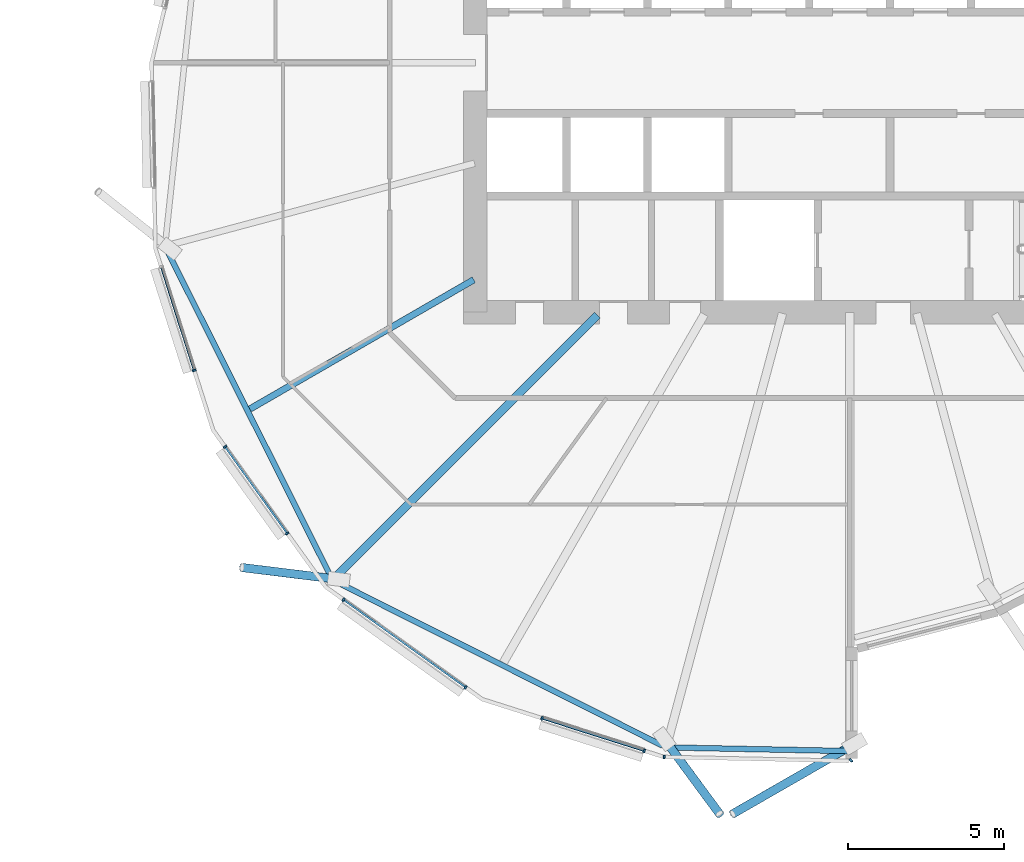
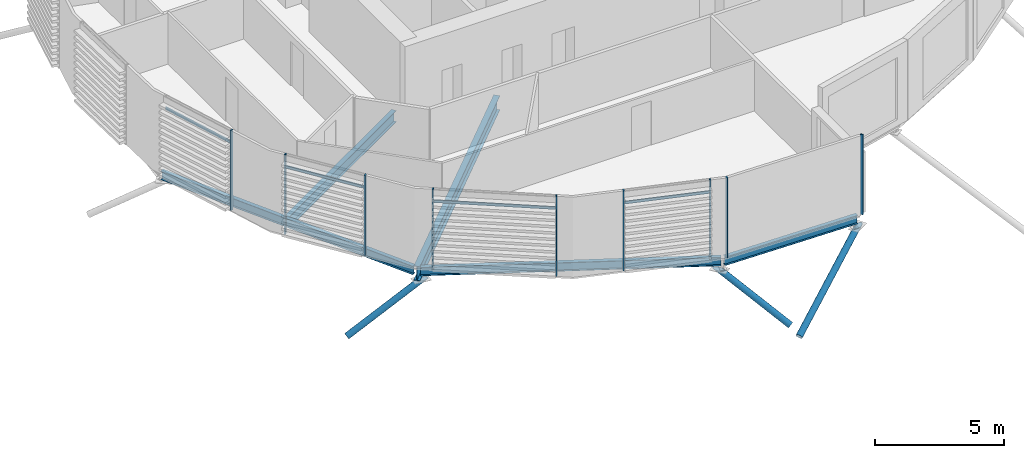
# One storey, part 12 of 42: 16 members, 5 beams, 1 element without a shape of its own.
"""IFC4 building model written with IfcOpenShell, lengths in metres."""

from ifc_helpers import new_model, si_unit, direction, frame, origin, origin_2d, place, context, subcontext, project, spatial, rectangle, hollow_circle, i_section, extrude, clip, halfspace, material, material_profile, profile_set, type_object, element, aggregate, save


model = new_model("IFC4")

# Units and contexts
model_context = context("Model", 3, precision=1e-05, world=origin(), true_north=direction((0.0, 1.0)))
body_context = subcontext(model_context, "Body", "Model", "MODEL_VIEW")
ifc_project = project(units=[si_unit("LENGTHUNIT", "METRE"), si_unit("AREAUNIT", "SQUARE_METRE"), si_unit("VOLUMEUNIT", "CUBIC_METRE"), si_unit("PLANEANGLEUNIT", "RADIAN"), si_unit("MASSUNIT", "GRAM", prefix="KILO")], contexts=[model_context])

# Site, building, storey
site_placement = place(None, origin())
site = spatial("IfcSite", under=ifc_project, at=site_placement, CompositionType="ELEMENT")
building_placement = place(site_placement, origin())
building = spatial("IfcBuilding", under=site, at=building_placement, Name="Rimbun Link Towers", CompositionType="ELEMENT")
storey_placement = place(building_placement, frame((0.0, 0.0, 85.39990234375)))
storey = spatial("IfcBuildingStorey", under=building, at=storey_placement, Name="L20", CompositionType="ELEMENT", Elevation=85.39990234375)

# Curtain wall, members
ifc_material_1 = material(Name="Aluminium 6063-T6 and low-iron glass", Category="aluminium")
curtain_wall_type = type_object("IfcCurtainWallType", Name="CW1-Z2 unitised vision wall (zone 2)", PredefinedType="NOTDEFINED", material=ifc_material_1)
curtain_wall_placement = place(storey_placement, origin())
curtain_wall = element("IfcCurtainWall", 1, at=curtain_wall_placement, inside=storey, type_object=curtain_wall_type, Name="CW1 L20 T2", PredefinedType="NOTDEFINED")
ifc_material_2 = material(Name="Aluminium 6063-T6", Category="aluminium")
ifc_material_profile_1 = material_profile(ifc_material_2, rectangle(XDim=0.1201171875, YDim=0.06005859375, at=origin_2d()), Name="MULLION 60X120")
ifc_profile_set_1 = profile_set([ifc_material_profile_1], Name="Aluminium 6063-T6")
member_type_1 = type_object("IfcMemberType", Name="CW1 mullion 60X120", PredefinedType="MULLION", material=ifc_profile_set_1)
member_1_placement = place(storey_placement, frame((10.7294921875, -9.865478515625, 0.0), z_axis=(0.0, 0.0, 1.0), x_axis=(-0.952968251743, -0.303070142328, 0.0)))
member_1 = element("IfcMember", 2, at=member_1_placement, type_object=member_type_1, Name="CW1 mullion", PredefinedType="MULLION", context=body_context, shape_type="SweptSolid", body=[
    extrude(rectangle(XDim=0.1201171875, YDim=0.06005859375, at=origin_2d()), origin(), (0.0, 0.0, 1.0), 3.800048828125),
])
member_2_placement = place(storey_placement, frame((13.71435546875, -15.09130859375, 0.0), z_axis=(0.0, 0.0, 1.0), x_axis=(-0.812469108412, -0.583004243446, 0.0)))
member_2 = element("IfcMember", 3, at=member_2_placement, type_object=member_type_1, Name="CW1 mullion", PredefinedType="MULLION", context=body_context, shape_type="SweptSolid", body=[
    extrude(rectangle(XDim=0.1201171875, YDim=0.06005859375, at=origin_2d()), origin(), (0.0, 0.0, 1.0), 3.800048828125),
])
member_3_placement = place(storey_placement, frame((11.722900390625, -12.31640625, 0.0), z_axis=(0.0, 0.0, 1.0), x_axis=(-0.812469108412, -0.583004243446, 0.0)))
member_3 = element("IfcMember", 4, at=member_3_placement, type_object=member_type_1, Name="CW1 mullion", PredefinedType="MULLION", context=body_context, shape_type="SweptSolid", body=[
    extrude(rectangle(XDim=0.1201171875, YDim=0.06005859375, at=origin_2d()), origin(), (0.0, 0.0, 1.0), 3.800048828125),
])
member_4_placement = place(storey_placement, frame((19.43359375, -20.027099609375, 0.0), z_axis=(0.0, 0.0, 1.0), x_axis=(-0.583004243446, -0.812469108412, 0.0)))
member_4 = element("IfcMember", 5, at=member_4_placement, type_object=member_type_1, Name="CW1 mullion", PredefinedType="MULLION", context=body_context, shape_type="SweptSolid", body=[
    extrude(rectangle(XDim=0.1201171875, YDim=0.06005859375, at=origin_2d()), origin(), (0.0, 0.0, 1.0), 3.800048828125),
])
member_5_placement = place(storey_placement, frame((15.521240234375, -17.219482421875, 0.0), z_axis=(0.0, 0.0, 1.0), x_axis=(-0.583004243446, -0.812469108412, 0.0)))
member_5 = element("IfcMember", 6, at=member_5_placement, type_object=member_type_1, Name="CW1 mullion", PredefinedType="MULLION", context=body_context, shape_type="SweptSolid", body=[
    extrude(rectangle(XDim=0.1201171875, YDim=0.06005859375, at=origin_2d()), origin(), (0.0, 0.0, 1.0), 3.800048828125),
])
member_6_placement = place(storey_placement, frame((25.1630859375, -22.063232421875, 0.0), z_axis=(0.0, 0.0, 1.0), x_axis=(-0.303070142328, -0.952968251743, 0.0)))
member_6 = element("IfcMember", 7, at=member_6_placement, type_object=member_type_1, Name="CW1 mullion", PredefinedType="MULLION", context=body_context, shape_type="SweptSolid", body=[
    extrude(rectangle(XDim=0.1201171875, YDim=0.06005859375, at=origin_2d()), origin(), (0.0, 0.0, 1.0), 3.800048828125),
])
member_7_placement = place(storey_placement, frame((21.884521484375, -21.0205078125, 0.0), z_axis=(0.0, 0.0, 1.0), x_axis=(-0.303070142328, -0.952968251743, 0.0)))
member_7 = element("IfcMember", 8, at=member_7_placement, type_object=member_type_1, Name="CW1 mullion", PredefinedType="MULLION", context=body_context, shape_type="SweptSolid", body=[
    extrude(rectangle(XDim=0.1201171875, YDim=0.06005859375, at=origin_2d()), origin(), (0.0, 0.0, 1.0), 3.800048828125),
])
member_8_placement = place(storey_placement, frame((31.7919921875, -22.37109375, 0.0), z_axis=(0.0, 0.0, 1.0), x_axis=(0.699622529752, -0.7145126422, 0.0)))
member_8 = element("IfcMember", 9, at=member_8_placement, type_object=member_type_1, Name="CW1 mullion", PredefinedType="MULLION", context=body_context, shape_type="SweptSolid", body=[
    extrude(rectangle(XDim=0.1201171875, YDim=0.06005859375, at=origin_2d()), origin(), (0.0, 0.0, 1.0), 3.800048828125),
])
member_9_placement = place(storey_placement, frame((25.79931640625, -22.262939453125, 0.0), z_axis=(0.0, 0.0, 1.0), x_axis=(-0.02105663171, -0.999778284552, 0.0)))
member_9 = element("IfcMember", 10, at=member_9_placement, type_object=member_type_1, Name="CW1 mullion", PredefinedType="MULLION", context=body_context, shape_type="SweptSolid", body=[
    extrude(rectangle(XDim=0.1201171875, YDim=0.06005859375, at=origin_2d()), origin(), (0.0, 0.0, 1.0), 3.800048828125),
])
ifc_material_3 = material(Name="Aluminium 6063-T6", Category="aluminium")
ifc_material_profile_2 = material_profile(ifc_material_3, rectangle(XDim=0.06005859375, YDim=0.1201171875, at=origin_2d()), Name="TRANSOM 60X120")
ifc_profile_set_2 = profile_set([ifc_material_profile_2], Name="Aluminium 6063-T6")
member_type_2 = type_object("IfcMemberType", Name="CW1 transom 60X120", PredefinedType="USERDEFINED", material=ifc_profile_set_2)
member_10_placement = place(storey_placement, frame((10.722412109375, -9.836181640625, 3.2001953125), z_axis=(-0.303109653697, 0.952955685137, 0.0), x_axis=(-0.952955685137, -0.303109653697, 0.0)))
member_10 = element("IfcMember", 11, at=member_10_placement, type_object=member_type_2, Name="CW1 transom", ObjectType="TRANSOM", PredefinedType="USERDEFINED", context=body_context, shape_type="SweptSolid", body=[
    extrude(rectangle(XDim=0.06005859375, YDim=0.1201171875, at=origin_2d()), origin(), (0.0, 0.0, 1.0), 3.430419921875),
])
member_11_placement = place(storey_placement, frame((13.698486328125, -15.06591796875, 3.2001953125), z_axis=(-0.582998721092, 0.812473071064, 0.0), x_axis=(-0.812473071064, -0.582998721092, 0.0)))
member_11 = element("IfcMember", 12, at=member_11_placement, type_object=member_type_2, Name="CW1 transom", ObjectType="TRANSOM", PredefinedType="USERDEFINED", context=body_context, shape_type="SweptSolid", body=[
    extrude(rectangle(XDim=0.06005859375, YDim=0.1201171875, at=origin_2d()), origin(), (0.0, 0.0, 1.0), 3.35546875),
])
member_12_placement = place(storey_placement, frame((19.410400390625, -20.0078125, 3.2001953125), z_axis=(-0.812475871457, 0.582994818417, 0.0), x_axis=(-0.582994818417, -0.812475871457, 0.0)))
member_12 = element("IfcMember", 13, at=member_12_placement, type_object=member_type_2, Name="CW1 transom", ObjectType="TRANSOM", PredefinedType="USERDEFINED", context=body_context, shape_type="SweptSolid", body=[
    extrude(rectangle(XDim=0.06005859375, YDim=0.1201171875, at=origin_2d()), origin(), (0.0, 0.0, 1.0), 4.755615234375),
])
member_13_placement = place(storey_placement, frame((25.135009765625, -22.05224609375, 3.2001953125), z_axis=(-0.952948542715, 0.303132108062, 0.0), x_axis=(-0.303132108062, -0.952948542715, 0.0)))
member_13 = element("IfcMember", 14, at=member_13_placement, type_object=member_type_2, Name="CW1 transom", ObjectType="TRANSOM", PredefinedType="USERDEFINED", context=body_context, shape_type="SweptSolid", body=[
    extrude(rectangle(XDim=0.06005859375, YDim=0.1201171875, at=origin_2d()), origin(), (0.0, 0.0, 1.0), 3.380126953125),
])
aggregate(curtain_wall, [member_1, member_2, member_3, member_4, member_5, member_6, member_7, member_8, member_9, member_10, member_11, member_12, member_13])

# Members
ifc_material_4 = material(Name="Steel S355J2H", Category="steel")
ifc_material_profile_3 = material_profile(ifc_material_4, hollow_circle(Radius=0.136474609375, WallThickness=0.012451171875, at=origin_2d()), Name="CHS 273x12.5")
ifc_profile_set_3 = profile_set([ifc_material_profile_3], Name="Steel S355J2H")
member_type_3 = type_object("IfcMemberType", Name="Floor edge link CHS 273x12.5", PredefinedType="BRACE", material=ifc_profile_set_3)
member_14_placement = place(storey_placement, frame((15.201904296875, -16.548095703125, -0.96142578125), z_axis=(-0.857222460633, 0.105680099676, -0.503985485424), x_axis=(-0.122355698071, -0.992486313835, 0.0)))
element("IfcMember", 15, at=member_14_placement, inside=storey, type_object=member_type_3, Name="Floor edge link T2 L20 12", PredefinedType="BRACE", context=body_context, shape_type="Clipping", body=[
    clip(extrude(hollow_circle(Radius=0.136474609375, WallThickness=0.012451171875, at=origin_2d()), frame((0.0, 0.0, -0.48779296875)), (0.0, 0.0, 1.0), 3.927490234375), halfspace(frame((0.0, 0.0, -0.230224609375), z_axis=(0.0, 0.863712122458, -0.503985485424)), False)),
])
member_15_placement = place(storey_placement, frame((25.904296875, -21.816650390625, -1.039306640625), z_axis=(0.509558103236, -0.690770301729, -0.513017475019), x_axis=(0.804738903769, 0.593628921768, 0.0)))
element("IfcMember", 16, at=member_15_placement, inside=storey, type_object=member_type_3, Name="Floor edge link T2 L20 14", PredefinedType="BRACE", context=body_context, shape_type="Clipping", body=[
    clip(extrude(hollow_circle(Radius=0.136474609375, WallThickness=0.012451171875, at=origin_2d()), frame((0.0, 0.0, -0.476318359375)), (0.0, 0.0, 1.0), 3.793212890625), halfspace(frame((0.0, 0.0, -0.224609375), z_axis=(0.0, 0.858378162773, -0.513017475019)), False)),
])
member_16_placement = place(storey_placement, frame((31.75, -21.931396484375, -1.04248046875), z_axis=(-0.75987647526, -0.436562580468, -0.481664671408), x_axis=(0.498156888109, -0.867086913077, 0.0)))
element("IfcMember", 17, at=member_16_placement, inside=storey, type_object=member_type_3, Name="Floor edge link T2 L20 15", PredefinedType="BRACE", context=body_context, shape_type="Clipping", body=[
    clip(extrude(hollow_circle(Radius=0.136474609375, WallThickness=0.012451171875, at=origin_2d()), frame((0.0, 0.0, -0.517578125)), (0.0, 0.0, 1.0), 5.465087890625), halfspace(frame((0.0, 0.0, -0.245849609375), z_axis=(0.0, 0.876355603803, -0.481664671408)), False)),
])

# Beams
ifc_material_5 = material(Name="Steel S355J2", Category="steel")
ifc_material_profile_4 = material_profile(ifc_material_5, i_section(OverallWidth=0.177978515625, OverallDepth=0.406494140625, WebThickness=0.0078125, FlangeThickness=0.0126953125, at=origin_2d()), Name="UB 406x178x60")
ifc_profile_set_4 = profile_set([ifc_material_profile_4], Name="Steel S355J2")
beam_type_1 = type_object("IfcBeamType", Name="UB 406x178x60", PredefinedType="BEAM", material=ifc_profile_set_4)
beam_1_placement = place(storey_placement, frame((9.843994140625, -5.97900390625, -0.363037109375), z_axis=(0.448586674905, -0.893739332858, 0.0), x_axis=(0.893739332858, 0.448586674905, 0.0)))
element("IfcBeam", 18, at=beam_1_placement, inside=storey, type_object=beam_type_1, Name="Edge beam T2 L20 10-12", PredefinedType="BEAM", context=body_context, shape_type="SweptSolid", body=[
    extrude(i_section(OverallWidth=0.177978515625, OverallDepth=0.406494140625, WebThickness=0.0078125, FlangeThickness=0.0126953125, at=origin_2d()), origin(), (0.0, 0.0, 1.0), 11.730712890625),
])
beam_2_placement = place(storey_placement, frame((15.286865234375, -16.643798828125, -0.363037109375), z_axis=(0.893741795777, -0.448581767887, 0.0), x_axis=(0.448581767887, 0.893741795777, 0.0)))
element("IfcBeam", 19, at=beam_2_placement, inside=storey, type_object=beam_type_1, Name="Edge beam T2 L20 12-14", PredefinedType="BEAM", context=body_context, shape_type="SweptSolid", body=[
    extrude(i_section(OverallWidth=0.177978515625, OverallDepth=0.406494140625, WebThickness=0.0078125, FlangeThickness=0.0126953125, at=origin_2d()), origin(), (0.0, 0.0, 1.0), 11.701416015625),
])
beam_3_placement = place(storey_placement, frame((25.868408203125, -21.954345703125, -0.363037109375), z_axis=(0.999802327243, -0.019882314724, 0.0), x_axis=(0.019882314724, 0.999802327243, 0.0)))
element("IfcBeam", 20, at=beam_3_placement, inside=storey, type_object=beam_type_1, Name="Edge beam T2 L20 14", PredefinedType="BEAM", context=body_context, shape_type="SweptSolid", body=[
    extrude(i_section(OverallWidth=0.177978515625, OverallDepth=0.406494140625, WebThickness=0.0078125, FlangeThickness=0.0126953125, at=origin_2d()), origin(), (0.0, 0.0, 1.0), 5.8818359375),
])
ifc_material_6 = material(Name="Steel S355J2", Category="steel")
ifc_material_profile_5 = material_profile(ifc_material_6, i_section(OverallWidth=0.209228515625, OverallDepth=0.533203125, WebThickness=0.010009765625, FlangeThickness=0.015625, at=origin_2d()), Name="UB 533x210x92")
ifc_profile_set_5 = profile_set([ifc_material_profile_5], Name="Steel S355J2")
beam_type_2 = type_object("IfcBeamType", Name="UB 533x210x92", PredefinedType="BEAM", material=ifc_profile_set_5)
beam_4_placement = place(storey_placement, frame((19.69677734375, -6.958984375, -0.426513671875), z_axis=(-0.866021791448, -0.500006256699, 0.0), x_axis=(0.500006256699, -0.866021791448, 0.0)))
element("IfcBeam", 21, at=beam_4_placement, inside=storey, type_object=beam_type_2, Name="Radial beam T2 L20 11", PredefinedType="BEAM", context=body_context, shape_type="SweptSolid", body=[
    extrude(i_section(OverallWidth=0.209228515625, OverallDepth=0.533203125, WebThickness=0.010009765625, FlangeThickness=0.015625, at=origin_2d()), origin(), (0.0, 0.0, 1.0), 8.29052734375),
])
ifc_material_7 = material(Name="Steel S355J2", Category="steel")
ifc_material_profile_6 = material_profile(ifc_material_7, i_section(OverallWidth=0.253662109375, OverallDepth=0.68359375, WebThickness=0.012451171875, FlangeThickness=0.01904296875, at=origin_2d()), Name="UB 686x254x140")
ifc_profile_set_6 = profile_set([ifc_material_profile_6], Name="Steel S355J2")
beam_type_3 = type_object("IfcBeamType", Name="UB 686x254x140", PredefinedType="BEAM", material=ifc_profile_set_6)
beam_5_placement = place(storey_placement, frame((23.65966796875, -8.09033203125, -0.501708984375), z_axis=(-0.707106781187, -0.707106781187, 0.0), x_axis=(0.707106781187, -0.707106781187, 0.0)))
element("IfcBeam", 22, at=beam_5_placement, inside=storey, type_object=beam_type_3, Name="Radial beam T2 L20 12", PredefinedType="BEAM", context=body_context, shape_type="SweptSolid", body=[
    extrude(i_section(OverallWidth=0.253662109375, OverallDepth=0.68359375, WebThickness=0.012451171875, FlangeThickness=0.01904296875, at=origin_2d()), origin(), (0.0, 0.0, 1.0), 12.01123046875),
])

save(model, "model.ifc")
